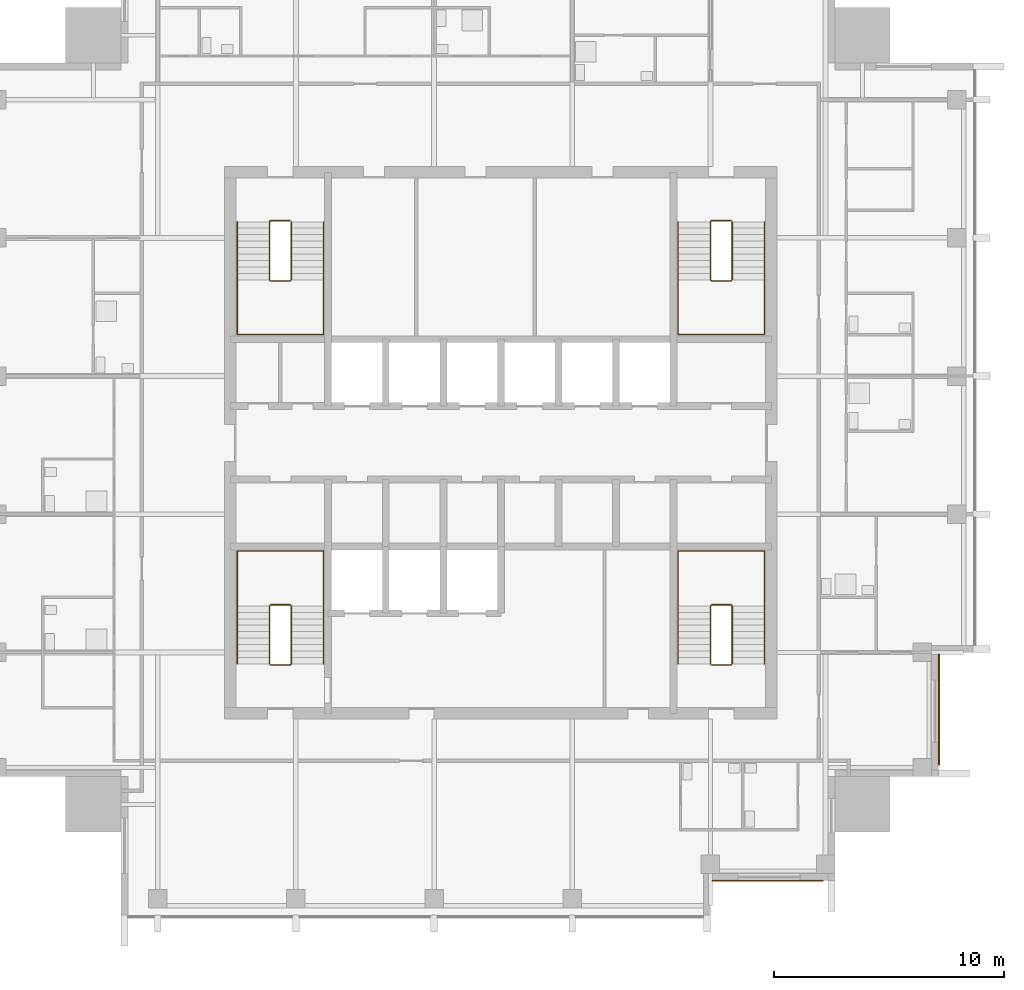
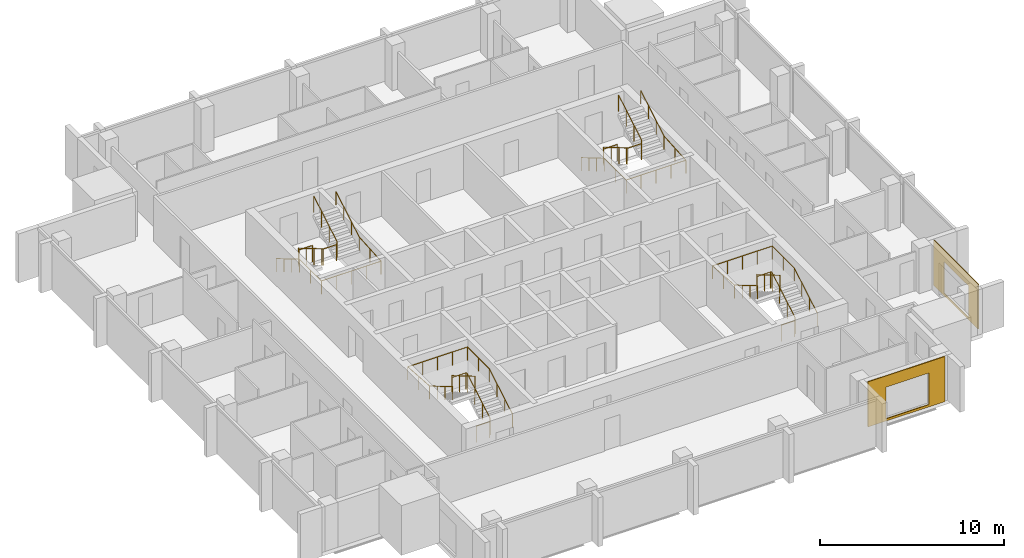
# One storey, part 8 of 9: 8 railings, 2 coverings.
"""IFC4 building model written with IfcOpenShell, lengths in metres."""

from ifc_helpers import new_model, si_unit, direction, frame, origin, origin_2d, place, context, subcontext, project, spatial, polyline, circle, outline, extrude, material, layer, layer_set, type_object, element, save


model = new_model("IFC4")

# Units and contexts
model_context = context("Model", 3, precision=1e-05, world=origin(), true_north=direction((0.0, 1.0)))
body_context = subcontext(model_context, "Body", "Model", "MODEL_VIEW")
ifc_project = project(units=[si_unit("LENGTHUNIT", "METRE"), si_unit("AREAUNIT", "SQUARE_METRE"), si_unit("VOLUMEUNIT", "CUBIC_METRE"), si_unit("PLANEANGLEUNIT", "RADIAN"), si_unit("MASSUNIT", "GRAM", prefix="KILO")], contexts=[model_context])

# Site, building, storey
site_placement = place(None, origin())
site = spatial("IfcSite", under=ifc_project, at=site_placement, CompositionType="ELEMENT")
building_placement = place(site_placement, origin())
building = spatial("IfcBuilding", under=site, at=building_placement, Name="Amberfall Residences", CompositionType="ELEMENT")
storey_placement = place(building_placement, frame((0.0, 0.0, 278.5)))
storey = spatial("IfcBuildingStorey", under=building, at=storey_placement, Name="L75", CompositionType="ELEMENT", Elevation=278.5)

# Coverings
ifc_material_1 = material(Name="Pale limestone cladding", Category="masonry")
ifc_layer = layer(ifc_material_1, 0.050048828125)
ifc_layer_set = layer_set([ifc_layer], Name="Limestone fascia 50")
covering_type = type_object("IfcCoveringType", Name="Limestone fascia 50", PredefinedType="CLADDING", material=ifc_layer_set)
covering_1_placement = place(storey_placement, frame((83.68994140625, 26.5, 3.0), z_axis=(0.0, 1.0, 0.0), x_axis=(1.0, 0.0, 0.0)))
element("IfcCovering", 1, at=covering_1_placement, inside=storey, type_object=covering_type, Name="Pale limestone cladding L75 S", PredefinedType="CLADDING", context=body_context, shape_type="SweptSolid", body=[
    extrude(outline(polyline([(0.0, 0.0), (4.820068359375, 0.0), (4.820068359375, 3.0), (0.0, 3.0), (0.0, 0.0)]), holes=[polyline([(1.110107421875, 0.75), (3.81005859375, 0.75), (3.81005859375, 2.85009765625), (1.110107421875, 2.85009765625), (1.110107421875, 0.75)])]), origin(), (0.0, 0.0, -1.0), 0.050048828125),
])
covering_2_placement = place(storey_placement, frame((93.5, 31.489990234375, 3.0), z_axis=(-1.0, 0.0, 0.0), x_axis=(0.0, 1.0, 0.0)))
element("IfcCovering", 2, at=covering_2_placement, inside=storey, type_object=covering_type, Name="Pale limestone cladding L75 E", PredefinedType="CLADDING", context=body_context, shape_type="SweptSolid", body=[
    extrude(outline(polyline([(0.0, 0.0), (4.820068359375, 0.0), (4.820068359375, 3.0), (0.0, 3.0), (0.0, 0.0)]), holes=[polyline([(1.010009765625, 0.75), (3.7099609375, 0.75), (3.7099609375, 2.85009765625), (1.010009765625, 2.85009765625), (1.010009765625, 0.75)])]), origin(), (0.0, 0.0, -1.0), 0.050048828125),
])

# Railings
ifc_material_2 = material(Name="Stainless steel 316", Category="steel")
railing_type_1 = type_object("IfcRailingType", Name="Stair guard 1100", PredefinedType="GUARDRAIL", material=ifc_material_2)
railing_1_placement = place(storey_placement, frame((64.5, 35.85009765625, 0.0)))
element("IfcRailing", 3, at=railing_1_placement, inside=storey, type_object=railing_type_1, Name="L75 stair 1 guard", PredefinedType="GUARDRAIL", context=body_context, shape_type="SweptSolid", body=[
    extrude(circle(Radius=0.02392578125, at=origin_2d()), frame((0.0, 0.0, 1.076171875), z_axis=(1.0, 0.0, 0.0), x_axis=(0.0, 1.0, 0.0)), (0.0, 0.0, 1.0), 0.85009765625),
    extrude(circle(Radius=0.02392578125, at=origin_2d()), frame((0.85009765625, 0.0, 1.076171875), z_axis=(0.27755538755, 0.27755538755, 0.919742362667), x_axis=(-0.707106781187, 0.707106781187, 0.0)), (0.0, 0.0, 1.0), 0.179443359375),
    extrude(circle(Radius=0.02392578125, at=origin_2d()), frame((0.89990234375, 0.0498046875, 1.2412109375), z_axis=(0.0, 0.861560626758, 0.507654692109), x_axis=(-1.0, 0.0, 0.0)), (0.0, 0.0, 1.0), 2.925048828125),
    extrude(circle(Radius=0.02392578125, at=origin_2d()), frame((0.89990234375, 2.56982421875, 2.72607421875), z_axis=(-0.705375805398, 0.708833529934, 0.0), x_axis=(-0.708833529934, -0.705375805398, 0.0)), (0.0, 0.0, 1.0), 0.070556640625),
    extrude(circle(Radius=0.02392578125, at=origin_2d()), frame((0.85009765625, 2.619873046875, 2.72607421875), z_axis=(-1.0, 0.0, 0.0), x_axis=(0.0, -1.0, 0.0)), (0.0, 0.0, 1.0), 0.85009765625),
    extrude(circle(Radius=0.02392578125, at=origin_2d()), frame((0.0, 2.619873046875, 2.72607421875), z_axis=(-0.278705021027, -0.278705021027, 0.919046801044), x_axis=(0.707106781187, -0.707106781187, 0.0)), (0.0, 0.0, 1.0), 0.1796875),
    extrude(circle(Radius=0.02392578125, at=origin_2d()), frame((-0.050048828125, 2.56982421875, 2.89111328125), z_axis=(0.0, -0.86152411907, 0.507716645641), x_axis=(1.0, 0.0, 0.0)), (0.0, 0.0, 1.0), 2.925048828125),
    extrude(circle(Radius=0.02099609375, at=origin_2d()), origin(), (0.0, 0.0, 1.0), 1.052001953125),
    extrude(circle(Radius=0.02099609375, at=origin_2d()), frame((0.85009765625, 0.0, 0.0)), (0.0, 0.0, 1.0), 1.052001953125),
    extrude(circle(Radius=0.02099609375, at=origin_2d()), frame((0.89990234375, 0.0498046875, 0.1650390625)), (0.0, 0.0, 1.0), 1.052001953125),
    extrude(circle(Radius=0.02099609375, at=origin_2d()), frame((0.89990234375, 0.889892578125, 0.659912109375)), (0.0, 0.0, 1.0), 1.052001953125),
    extrude(circle(Radius=0.02099609375, at=origin_2d()), frame((0.89990234375, 1.729736328125, 1.155029296875)), (0.0, 0.0, 1.0), 1.052001953125),
    extrude(circle(Radius=0.02099609375, at=origin_2d()), frame((0.89990234375, 2.56982421875, 1.64990234375)), (0.0, 0.0, 1.0), 1.052001953125),
    extrude(circle(Radius=0.02099609375, at=origin_2d()), frame((0.85009765625, 2.619873046875, 1.64990234375)), (0.0, 0.0, 1.0), 1.052001953125),
    extrude(circle(Radius=0.02099609375, at=origin_2d()), frame((0.0, 2.619873046875, 1.64990234375)), (0.0, 0.0, 1.0), 1.052001953125),
    extrude(circle(Radius=0.02099609375, at=origin_2d()), frame((-0.050048828125, 2.56982421875, 1.81494140625)), (0.0, 0.0, 1.0), 1.052001953125),
    extrude(circle(Radius=0.02099609375, at=origin_2d()), frame((-0.050048828125, 1.729736328125, 2.31005859375)), (0.0, 0.0, 1.0), 1.052001953125),
    extrude(circle(Radius=0.02099609375, at=origin_2d()), frame((-0.050048828125, 0.889892578125, 2.804931640625)), (0.0, 0.0, 1.0), 1.052001953125),
    extrude(circle(Radius=0.02099609375, at=origin_2d()), frame((-0.050048828125, 0.0498046875, 3.300048828125)), (0.0, 0.0, 1.0), 1.052001953125),
])
railing_2_placement = place(storey_placement, frame((83.64990234375, 35.85009765625, 0.0)))
element("IfcRailing", 4, at=railing_2_placement, inside=storey, type_object=railing_type_1, Name="L75 stair 2 guard", PredefinedType="GUARDRAIL", context=body_context, shape_type="SweptSolid", body=[
    extrude(circle(Radius=0.02392578125, at=origin_2d()), frame((0.0, 0.0, 1.076171875), z_axis=(1.0, 0.0, 0.0), x_axis=(0.0, 1.0, 0.0)), (0.0, 0.0, 1.0), 0.85009765625),
    extrude(circle(Radius=0.02392578125, at=origin_2d()), frame((0.85009765625, 0.0, 1.076171875), z_axis=(0.278810427259, 0.277450376394, 0.919394384522), x_axis=(-0.705375805398, 0.708833529934, 0.0)), (0.0, 0.0, 1.0), 0.179443359375),
    extrude(circle(Radius=0.02392578125, at=origin_2d()), frame((0.900146484375, 0.0498046875, 1.2412109375), z_axis=(0.0, 0.861560626758, 0.507654692109), x_axis=(-1.0, 0.0, 0.0)), (0.0, 0.0, 1.0), 2.925048828125),
    extrude(circle(Radius=0.02392578125, at=origin_2d()), frame((0.900146484375, 2.56982421875, 2.72607421875), z_axis=(-0.707106781187, 0.707106781187, 0.0), x_axis=(-0.707106781187, -0.707106781187, 0.0)), (0.0, 0.0, 1.0), 0.07080078125),
    extrude(circle(Radius=0.02392578125, at=origin_2d()), frame((0.85009765625, 2.619873046875, 2.72607421875), z_axis=(-1.0, 0.0, 0.0), x_axis=(0.0, -1.0, 0.0)), (0.0, 0.0, 1.0), 0.85009765625),
    extrude(circle(Radius=0.02392578125, at=origin_2d()), frame((0.0, 2.619873046875, 2.72607421875), z_axis=(-0.277450376394, -0.278810427259, 0.919394384522), x_axis=(0.708833529934, -0.705375805398, 0.0)), (0.0, 0.0, 1.0), 0.179443359375),
    extrude(circle(Radius=0.02392578125, at=origin_2d()), frame((-0.0498046875, 2.56982421875, 2.89111328125), z_axis=(0.0, -0.86152411907, 0.507716645641), x_axis=(1.0, 0.0, 0.0)), (0.0, 0.0, 1.0), 2.925048828125),
    extrude(circle(Radius=0.02099609375, at=origin_2d()), origin(), (0.0, 0.0, 1.0), 1.052001953125),
    extrude(circle(Radius=0.02099609375, at=origin_2d()), frame((0.85009765625, 0.0, 0.0)), (0.0, 0.0, 1.0), 1.052001953125),
    extrude(circle(Radius=0.02099609375, at=origin_2d()), frame((0.900146484375, 0.0498046875, 0.1650390625)), (0.0, 0.0, 1.0), 1.052001953125),
    extrude(circle(Radius=0.02099609375, at=origin_2d()), frame((0.900146484375, 0.889892578125, 0.659912109375)), (0.0, 0.0, 1.0), 1.052001953125),
    extrude(circle(Radius=0.02099609375, at=origin_2d()), frame((0.900146484375, 1.729736328125, 1.155029296875)), (0.0, 0.0, 1.0), 1.052001953125),
    extrude(circle(Radius=0.02099609375, at=origin_2d()), frame((0.900146484375, 2.56982421875, 1.64990234375)), (0.0, 0.0, 1.0), 1.052001953125),
    extrude(circle(Radius=0.02099609375, at=origin_2d()), frame((0.85009765625, 2.619873046875, 1.64990234375)), (0.0, 0.0, 1.0), 1.052001953125),
    extrude(circle(Radius=0.02099609375, at=origin_2d()), frame((0.0, 2.619873046875, 1.64990234375)), (0.0, 0.0, 1.0), 1.052001953125),
    extrude(circle(Radius=0.02099609375, at=origin_2d()), frame((-0.0498046875, 2.56982421875, 1.81494140625)), (0.0, 0.0, 1.0), 1.052001953125),
    extrude(circle(Radius=0.02099609375, at=origin_2d()), frame((-0.0498046875, 1.729736328125, 2.31005859375)), (0.0, 0.0, 1.0), 1.052001953125),
    extrude(circle(Radius=0.02099609375, at=origin_2d()), frame((-0.0498046875, 0.889892578125, 2.804931640625)), (0.0, 0.0, 1.0), 1.052001953125),
    extrude(circle(Radius=0.02099609375, at=origin_2d()), frame((-0.0498046875, 0.0498046875, 3.300048828125)), (0.0, 0.0, 1.0), 1.052001953125),
])
railing_3_placement = place(storey_placement, frame((84.5, 55.14990234375, 0.0)))
element("IfcRailing", 5, at=railing_3_placement, inside=storey, type_object=railing_type_1, Name="L75 stair 3 guard", PredefinedType="GUARDRAIL", context=body_context, shape_type="SweptSolid", body=[
    extrude(circle(Radius=0.02392578125, at=origin_2d()), frame((0.0, 0.0, 1.076171875), z_axis=(-1.0, 0.0, 0.0), x_axis=(0.0, -1.0, 0.0)), (0.0, 0.0, 1.0), 0.85009765625),
    extrude(circle(Radius=0.02392578125, at=origin_2d()), frame((-0.85009765625, 0.0, 1.076171875), z_axis=(-0.27755538755, -0.27755538755, 0.919742362667), x_axis=(0.707106781187, -0.707106781187, 0.0)), (0.0, 0.0, 1.0), 0.179443359375),
    extrude(circle(Radius=0.02392578125, at=origin_2d()), frame((-0.89990234375, -0.0498046875, 1.2412109375), z_axis=(0.0, -0.861560626758, 0.507654692109), x_axis=(1.0, 0.0, 0.0)), (0.0, 0.0, 1.0), 2.925048828125),
    extrude(circle(Radius=0.02392578125, at=origin_2d()), frame((-0.89990234375, -2.56982421875, 2.72607421875), z_axis=(0.705375805398, -0.708833529934, 0.0), x_axis=(0.708833529934, 0.705375805398, 0.0)), (0.0, 0.0, 1.0), 0.070556640625),
    extrude(circle(Radius=0.02392578125, at=origin_2d()), frame((-0.85009765625, -2.619873046875, 2.72607421875), z_axis=(1.0, 0.0, 0.0), x_axis=(0.0, 1.0, 0.0)), (0.0, 0.0, 1.0), 0.85009765625),
    extrude(circle(Radius=0.02392578125, at=origin_2d()), frame((0.0, -2.619873046875, 2.72607421875), z_axis=(0.278705021027, 0.278705021027, 0.919046801044), x_axis=(-0.707106781187, 0.707106781187, 0.0)), (0.0, 0.0, 1.0), 0.1796875),
    extrude(circle(Radius=0.02392578125, at=origin_2d()), frame((0.050048828125, -2.56982421875, 2.89111328125), z_axis=(0.0, 0.86152411907, 0.507716645641), x_axis=(-1.0, 0.0, 0.0)), (0.0, 0.0, 1.0), 2.925048828125),
    extrude(circle(Radius=0.02099609375, at=origin_2d()), origin(), (0.0, 0.0, 1.0), 1.052001953125),
    extrude(circle(Radius=0.02099609375, at=origin_2d()), frame((-0.85009765625, 0.0, 0.0)), (0.0, 0.0, 1.0), 1.052001953125),
    extrude(circle(Radius=0.02099609375, at=origin_2d()), frame((-0.89990234375, -0.0498046875, 0.1650390625)), (0.0, 0.0, 1.0), 1.052001953125),
    extrude(circle(Radius=0.02099609375, at=origin_2d()), frame((-0.89990234375, -0.889892578125, 0.659912109375)), (0.0, 0.0, 1.0), 1.052001953125),
    extrude(circle(Radius=0.02099609375, at=origin_2d()), frame((-0.89990234375, -1.729736328125, 1.155029296875)), (0.0, 0.0, 1.0), 1.052001953125),
    extrude(circle(Radius=0.02099609375, at=origin_2d()), frame((-0.89990234375, -2.56982421875, 1.64990234375)), (0.0, 0.0, 1.0), 1.052001953125),
    extrude(circle(Radius=0.02099609375, at=origin_2d()), frame((-0.85009765625, -2.619873046875, 1.64990234375)), (0.0, 0.0, 1.0), 1.052001953125),
    extrude(circle(Radius=0.02099609375, at=origin_2d()), frame((0.0, -2.619873046875, 1.64990234375)), (0.0, 0.0, 1.0), 1.052001953125),
    extrude(circle(Radius=0.02099609375, at=origin_2d()), frame((0.050048828125, -2.56982421875, 1.81494140625)), (0.0, 0.0, 1.0), 1.052001953125),
    extrude(circle(Radius=0.02099609375, at=origin_2d()), frame((0.050048828125, -1.729736328125, 2.31005859375)), (0.0, 0.0, 1.0), 1.052001953125),
    extrude(circle(Radius=0.02099609375, at=origin_2d()), frame((0.050048828125, -0.889892578125, 2.804931640625)), (0.0, 0.0, 1.0), 1.052001953125),
    extrude(circle(Radius=0.02099609375, at=origin_2d()), frame((0.050048828125, -0.0498046875, 3.300048828125)), (0.0, 0.0, 1.0), 1.052001953125),
])
railing_4_placement = place(storey_placement, frame((65.35009765625, 55.14990234375, 0.0)))
element("IfcRailing", 6, at=railing_4_placement, inside=storey, type_object=railing_type_1, Name="L75 stair 4 guard", PredefinedType="GUARDRAIL", context=body_context, shape_type="SweptSolid", body=[
    extrude(circle(Radius=0.02392578125, at=origin_2d()), frame((0.0, 0.0, 1.076171875), z_axis=(-1.0, 0.0, 0.0), x_axis=(0.0, -1.0, 0.0)), (0.0, 0.0, 1.0), 0.85009765625),
    extrude(circle(Radius=0.02392578125, at=origin_2d()), frame((-0.85009765625, 0.0, 1.076171875), z_axis=(-0.278810427259, -0.277450376394, 0.919394384522), x_axis=(0.705375805398, -0.708833529934, 0.0)), (0.0, 0.0, 1.0), 0.179443359375),
    extrude(circle(Radius=0.02392578125, at=origin_2d()), frame((-0.900146484375, -0.0498046875, 1.2412109375), z_axis=(0.0, -0.861560626758, 0.507654692109), x_axis=(1.0, 0.0, 0.0)), (0.0, 0.0, 1.0), 2.925048828125),
    extrude(circle(Radius=0.02392578125, at=origin_2d()), frame((-0.900146484375, -2.56982421875, 2.72607421875), z_axis=(0.707106781187, -0.707106781187, 0.0), x_axis=(0.707106781187, 0.707106781187, 0.0)), (0.0, 0.0, 1.0), 0.07080078125),
    extrude(circle(Radius=0.02392578125, at=origin_2d()), frame((-0.85009765625, -2.619873046875, 2.72607421875), z_axis=(1.0, 0.0, 0.0), x_axis=(0.0, 1.0, 0.0)), (0.0, 0.0, 1.0), 0.85009765625),
    extrude(circle(Radius=0.02392578125, at=origin_2d()), frame((0.0, -2.619873046875, 2.72607421875), z_axis=(0.277450376394, 0.278810427259, 0.919394384522), x_axis=(-0.708833529934, 0.705375805398, 0.0)), (0.0, 0.0, 1.0), 0.179443359375),
    extrude(circle(Radius=0.02392578125, at=origin_2d()), frame((0.0498046875, -2.56982421875, 2.89111328125), z_axis=(0.0, 0.86152411907, 0.507716645641), x_axis=(-1.0, 0.0, 0.0)), (0.0, 0.0, 1.0), 2.925048828125),
    extrude(circle(Radius=0.02099609375, at=origin_2d()), origin(), (0.0, 0.0, 1.0), 1.052001953125),
    extrude(circle(Radius=0.02099609375, at=origin_2d()), frame((-0.85009765625, 0.0, 0.0)), (0.0, 0.0, 1.0), 1.052001953125),
    extrude(circle(Radius=0.02099609375, at=origin_2d()), frame((-0.900146484375, -0.0498046875, 0.1650390625)), (0.0, 0.0, 1.0), 1.052001953125),
    extrude(circle(Radius=0.02099609375, at=origin_2d()), frame((-0.900146484375, -0.889892578125, 0.659912109375)), (0.0, 0.0, 1.0), 1.052001953125),
    extrude(circle(Radius=0.02099609375, at=origin_2d()), frame((-0.900146484375, -1.729736328125, 1.155029296875)), (0.0, 0.0, 1.0), 1.052001953125),
    extrude(circle(Radius=0.02099609375, at=origin_2d()), frame((-0.900146484375, -2.56982421875, 1.64990234375)), (0.0, 0.0, 1.0), 1.052001953125),
    extrude(circle(Radius=0.02099609375, at=origin_2d()), frame((-0.85009765625, -2.619873046875, 1.64990234375)), (0.0, 0.0, 1.0), 1.052001953125),
    extrude(circle(Radius=0.02099609375, at=origin_2d()), frame((0.0, -2.619873046875, 1.64990234375)), (0.0, 0.0, 1.0), 1.052001953125),
    extrude(circle(Radius=0.02099609375, at=origin_2d()), frame((0.0498046875, -2.56982421875, 1.81494140625)), (0.0, 0.0, 1.0), 1.052001953125),
    extrude(circle(Radius=0.02099609375, at=origin_2d()), frame((0.0498046875, -1.729736328125, 2.31005859375)), (0.0, 0.0, 1.0), 1.052001953125),
    extrude(circle(Radius=0.02099609375, at=origin_2d()), frame((0.0498046875, -0.889892578125, 2.804931640625)), (0.0, 0.0, 1.0), 1.052001953125),
    extrude(circle(Radius=0.02099609375, at=origin_2d()), frame((0.0498046875, -0.0498046875, 3.300048828125)), (0.0, 0.0, 1.0), 1.052001953125),
])
railing_type_2 = type_object("IfcRailingType", Name="Stair handrail 900", PredefinedType="HANDRAIL", material=ifc_material_2)
railing_5_placement = place(storey_placement, frame((66.800048828125, 35.89990234375, 0.1650390625)))
element("IfcRailing", 7, at=railing_5_placement, inside=storey, type_object=railing_type_2, Name="L75 stair 1 handrail", PredefinedType="HANDRAIL", context=body_context, shape_type="SweptSolid", body=[
    extrude(circle(Radius=0.02392578125, at=origin_2d()), frame((0.0, 0.0, 0.8759765625), z_axis=(0.0, 0.861560626758, 0.507654692109), x_axis=(-1.0, 0.0, 0.0)), (0.0, 0.0, 1.0), 2.925048828125),
    extrude(circle(Radius=0.02392578125, at=origin_2d()), frame((0.0, 2.52001953125, 2.36083984375), z_axis=(0.0, 1.0, 0.0), x_axis=(-1.0, 0.0, 0.0)), (0.0, 0.0, 1.0), 2.380126953125),
    extrude(circle(Radius=0.02392578125, at=origin_2d()), frame((0.0, 4.900146484375, 2.36083984375), z_axis=(-1.0, 0.0, 0.0), x_axis=(0.0, -1.0, 0.0)), (0.0, 0.0, 1.0), 3.75),
    extrude(circle(Radius=0.02392578125, at=origin_2d()), frame((-3.75, 4.900146484375, 2.36083984375), z_axis=(0.0, -0.997604585917, 0.069174346095), x_axis=(1.0, 0.0, 0.0)), (0.0, 0.0, 1.0), 2.3857421875),
    extrude(circle(Radius=0.02392578125, at=origin_2d()), frame((-3.75, 2.52001953125, 2.52587890625), z_axis=(0.0, -0.86152411907, 0.507716645641), x_axis=(1.0, 0.0, 0.0)), (0.0, 0.0, 1.0), 2.925048828125),
    extrude(circle(Radius=0.02099609375, at=origin_2d()), origin(), (0.0, 0.0, 1.0), 0.851806640625),
    extrude(circle(Radius=0.02099609375, at=origin_2d()), frame((0.0, 0.840087890625, 0.494873046875)), (0.0, 0.0, 1.0), 0.851806640625),
    extrude(circle(Radius=0.02099609375, at=origin_2d()), frame((0.0, 1.679931640625, 0.989990234375)), (0.0, 0.0, 1.0), 0.851806640625),
    extrude(circle(Radius=0.02099609375, at=origin_2d()), frame((0.0, 2.52001953125, 1.48486328125)), (0.0, 0.0, 1.0), 0.851806640625),
    extrude(circle(Radius=0.02099609375, at=origin_2d()), frame((0.0, 3.7099609375, 1.48486328125)), (0.0, 0.0, 1.0), 0.851806640625),
    extrude(circle(Radius=0.02099609375, at=origin_2d()), frame((0.0, 4.900146484375, 1.48486328125)), (0.0, 0.0, 1.0), 0.851806640625),
    extrude(circle(Radius=0.02099609375, at=origin_2d()), frame((-0.9375, 4.900146484375, 1.48486328125)), (0.0, 0.0, 1.0), 0.851806640625),
    extrude(circle(Radius=0.02099609375, at=origin_2d()), frame((-1.875, 4.900146484375, 1.48486328125)), (0.0, 0.0, 1.0), 0.851806640625),
    extrude(circle(Radius=0.02099609375, at=origin_2d()), frame((-2.8125, 4.900146484375, 1.48486328125)), (0.0, 0.0, 1.0), 0.851806640625),
    extrude(circle(Radius=0.02099609375, at=origin_2d()), frame((-3.75, 4.900146484375, 1.48486328125)), (0.0, 0.0, 1.0), 0.851806640625),
    extrude(circle(Radius=0.02099609375, at=origin_2d()), frame((-3.75, 3.7099609375, 1.5673828125)), (0.0, 0.0, 1.0), 0.851806640625),
    extrude(circle(Radius=0.02099609375, at=origin_2d()), frame((-3.75, 2.52001953125, 1.64990234375)), (0.0, 0.0, 1.0), 0.851806640625),
    extrude(circle(Radius=0.02099609375, at=origin_2d()), frame((-3.75, 1.679931640625, 2.14501953125)), (0.0, 0.0, 1.0), 0.851806640625),
    extrude(circle(Radius=0.02099609375, at=origin_2d()), frame((-3.75, 0.840087890625, 2.639892578125)), (0.0, 0.0, 1.0), 0.851806640625),
    extrude(circle(Radius=0.02099609375, at=origin_2d()), frame((-3.75, 0.0, 3.135009765625)), (0.0, 0.0, 1.0), 0.851806640625),
])
railing_6_placement = place(storey_placement, frame((85.949951171875, 35.89990234375, 0.1650390625)))
element("IfcRailing", 8, at=railing_6_placement, inside=storey, type_object=railing_type_2, Name="L75 stair 2 handrail", PredefinedType="HANDRAIL", context=body_context, shape_type="SweptSolid", body=[
    extrude(circle(Radius=0.02392578125, at=origin_2d()), frame((0.0, 0.0, 0.8759765625), z_axis=(0.0, 0.861560626758, 0.507654692109), x_axis=(-1.0, 0.0, 0.0)), (0.0, 0.0, 1.0), 2.925048828125),
    extrude(circle(Radius=0.02392578125, at=origin_2d()), frame((0.0, 2.52001953125, 2.36083984375), z_axis=(0.0, 1.0, 0.0), x_axis=(-1.0, 0.0, 0.0)), (0.0, 0.0, 1.0), 2.380126953125),
    extrude(circle(Radius=0.02392578125, at=origin_2d()), frame((0.0, 4.900146484375, 2.36083984375), z_axis=(-1.0, 0.0, 0.0), x_axis=(0.0, -1.0, 0.0)), (0.0, 0.0, 1.0), 3.75),
    extrude(circle(Radius=0.02392578125, at=origin_2d()), frame((-3.75, 4.900146484375, 2.36083984375), z_axis=(0.0, -0.997604585917, 0.069174346095), x_axis=(1.0, 0.0, 0.0)), (0.0, 0.0, 1.0), 2.3857421875),
    extrude(circle(Radius=0.02392578125, at=origin_2d()), frame((-3.75, 2.52001953125, 2.52587890625), z_axis=(0.0, -0.86152411907, 0.507716645641), x_axis=(1.0, 0.0, 0.0)), (0.0, 0.0, 1.0), 2.925048828125),
    extrude(circle(Radius=0.02099609375, at=origin_2d()), origin(), (0.0, 0.0, 1.0), 0.851806640625),
    extrude(circle(Radius=0.02099609375, at=origin_2d()), frame((0.0, 0.840087890625, 0.494873046875)), (0.0, 0.0, 1.0), 0.851806640625),
    extrude(circle(Radius=0.02099609375, at=origin_2d()), frame((0.0, 1.679931640625, 0.989990234375)), (0.0, 0.0, 1.0), 0.851806640625),
    extrude(circle(Radius=0.02099609375, at=origin_2d()), frame((0.0, 2.52001953125, 1.48486328125)), (0.0, 0.0, 1.0), 0.851806640625),
    extrude(circle(Radius=0.02099609375, at=origin_2d()), frame((0.0, 3.7099609375, 1.48486328125)), (0.0, 0.0, 1.0), 0.851806640625),
    extrude(circle(Radius=0.02099609375, at=origin_2d()), frame((0.0, 4.900146484375, 1.48486328125)), (0.0, 0.0, 1.0), 0.851806640625),
    extrude(circle(Radius=0.02099609375, at=origin_2d()), frame((-0.9375, 4.900146484375, 1.48486328125)), (0.0, 0.0, 1.0), 0.851806640625),
    extrude(circle(Radius=0.02099609375, at=origin_2d()), frame((-1.875, 4.900146484375, 1.48486328125)), (0.0, 0.0, 1.0), 0.851806640625),
    extrude(circle(Radius=0.02099609375, at=origin_2d()), frame((-2.8125, 4.900146484375, 1.48486328125)), (0.0, 0.0, 1.0), 0.851806640625),
    extrude(circle(Radius=0.02099609375, at=origin_2d()), frame((-3.75, 4.900146484375, 1.48486328125)), (0.0, 0.0, 1.0), 0.851806640625),
    extrude(circle(Radius=0.02099609375, at=origin_2d()), frame((-3.75, 3.7099609375, 1.5673828125)), (0.0, 0.0, 1.0), 0.851806640625),
    extrude(circle(Radius=0.02099609375, at=origin_2d()), frame((-3.75, 2.52001953125, 1.64990234375)), (0.0, 0.0, 1.0), 0.851806640625),
    extrude(circle(Radius=0.02099609375, at=origin_2d()), frame((-3.75, 1.679931640625, 2.14501953125)), (0.0, 0.0, 1.0), 0.851806640625),
    extrude(circle(Radius=0.02099609375, at=origin_2d()), frame((-3.75, 0.840087890625, 2.639892578125)), (0.0, 0.0, 1.0), 0.851806640625),
    extrude(circle(Radius=0.02099609375, at=origin_2d()), frame((-3.75, 0.0, 3.135009765625)), (0.0, 0.0, 1.0), 0.851806640625),
])
railing_7_placement = place(storey_placement, frame((82.199951171875, 55.10009765625, 0.1650390625)))
element("IfcRailing", 9, at=railing_7_placement, inside=storey, type_object=railing_type_2, Name="L75 stair 3 handrail", PredefinedType="HANDRAIL", context=body_context, shape_type="SweptSolid", body=[
    extrude(circle(Radius=0.02392578125, at=origin_2d()), frame((0.0, 0.0, 0.8759765625), z_axis=(0.0, -0.861560626758, 0.507654692109), x_axis=(1.0, 0.0, 0.0)), (0.0, 0.0, 1.0), 2.925048828125),
    extrude(circle(Radius=0.02392578125, at=origin_2d()), frame((0.0, -2.52001953125, 2.36083984375), z_axis=(0.0, -1.0, 0.0), x_axis=(1.0, 0.0, 0.0)), (0.0, 0.0, 1.0), 2.380126953125),
    extrude(circle(Radius=0.02392578125, at=origin_2d()), frame((0.0, -4.900146484375, 2.36083984375), z_axis=(1.0, 0.0, 0.0), x_axis=(0.0, 1.0, 0.0)), (0.0, 0.0, 1.0), 3.75),
    extrude(circle(Radius=0.02392578125, at=origin_2d()), frame((3.75, -4.900146484375, 2.36083984375), z_axis=(0.0, 0.997604585917, 0.069174346095), x_axis=(-1.0, 0.0, 0.0)), (0.0, 0.0, 1.0), 2.3857421875),
    extrude(circle(Radius=0.02392578125, at=origin_2d()), frame((3.75, -2.52001953125, 2.52587890625), z_axis=(0.0, 0.86152411907, 0.507716645641), x_axis=(-1.0, 0.0, 0.0)), (0.0, 0.0, 1.0), 2.925048828125),
    extrude(circle(Radius=0.02099609375, at=origin_2d()), origin(), (0.0, 0.0, 1.0), 0.851806640625),
    extrude(circle(Radius=0.02099609375, at=origin_2d()), frame((0.0, -0.840087890625, 0.494873046875)), (0.0, 0.0, 1.0), 0.851806640625),
    extrude(circle(Radius=0.02099609375, at=origin_2d()), frame((0.0, -1.679931640625, 0.989990234375)), (0.0, 0.0, 1.0), 0.851806640625),
    extrude(circle(Radius=0.02099609375, at=origin_2d()), frame((0.0, -2.52001953125, 1.48486328125)), (0.0, 0.0, 1.0), 0.851806640625),
    extrude(circle(Radius=0.02099609375, at=origin_2d()), frame((0.0, -3.7099609375, 1.48486328125)), (0.0, 0.0, 1.0), 0.851806640625),
    extrude(circle(Radius=0.02099609375, at=origin_2d()), frame((0.0, -4.900146484375, 1.48486328125)), (0.0, 0.0, 1.0), 0.851806640625),
    extrude(circle(Radius=0.02099609375, at=origin_2d()), frame((0.9375, -4.900146484375, 1.48486328125)), (0.0, 0.0, 1.0), 0.851806640625),
    extrude(circle(Radius=0.02099609375, at=origin_2d()), frame((1.875, -4.900146484375, 1.48486328125)), (0.0, 0.0, 1.0), 0.851806640625),
    extrude(circle(Radius=0.02099609375, at=origin_2d()), frame((2.8125, -4.900146484375, 1.48486328125)), (0.0, 0.0, 1.0), 0.851806640625),
    extrude(circle(Radius=0.02099609375, at=origin_2d()), frame((3.75, -4.900146484375, 1.48486328125)), (0.0, 0.0, 1.0), 0.851806640625),
    extrude(circle(Radius=0.02099609375, at=origin_2d()), frame((3.75, -3.7099609375, 1.5673828125)), (0.0, 0.0, 1.0), 0.851806640625),
    extrude(circle(Radius=0.02099609375, at=origin_2d()), frame((3.75, -2.52001953125, 1.64990234375)), (0.0, 0.0, 1.0), 0.851806640625),
    extrude(circle(Radius=0.02099609375, at=origin_2d()), frame((3.75, -1.679931640625, 2.14501953125)), (0.0, 0.0, 1.0), 0.851806640625),
    extrude(circle(Radius=0.02099609375, at=origin_2d()), frame((3.75, -0.840087890625, 2.639892578125)), (0.0, 0.0, 1.0), 0.851806640625),
    extrude(circle(Radius=0.02099609375, at=origin_2d()), frame((3.75, 0.0, 3.135009765625)), (0.0, 0.0, 1.0), 0.851806640625),
])
railing_8_placement = place(storey_placement, frame((63.050048828125, 55.10009765625, 0.1650390625)))
element("IfcRailing", 10, at=railing_8_placement, inside=storey, type_object=railing_type_2, Name="L75 stair 4 handrail", PredefinedType="HANDRAIL", context=body_context, shape_type="SweptSolid", body=[
    extrude(circle(Radius=0.02392578125, at=origin_2d()), frame((0.0, 0.0, 0.8759765625), z_axis=(0.0, -0.861560626758, 0.507654692109), x_axis=(1.0, 0.0, 0.0)), (0.0, 0.0, 1.0), 2.925048828125),
    extrude(circle(Radius=0.02392578125, at=origin_2d()), frame((0.0, -2.52001953125, 2.36083984375), z_axis=(0.0, -1.0, 0.0), x_axis=(1.0, 0.0, 0.0)), (0.0, 0.0, 1.0), 2.380126953125),
    extrude(circle(Radius=0.02392578125, at=origin_2d()), frame((0.0, -4.900146484375, 2.36083984375), z_axis=(1.0, 0.0, 0.0), x_axis=(0.0, 1.0, 0.0)), (0.0, 0.0, 1.0), 3.75),
    extrude(circle(Radius=0.02392578125, at=origin_2d()), frame((3.75, -4.900146484375, 2.36083984375), z_axis=(0.0, 0.997604585917, 0.069174346095), x_axis=(-1.0, 0.0, 0.0)), (0.0, 0.0, 1.0), 2.3857421875),
    extrude(circle(Radius=0.02392578125, at=origin_2d()), frame((3.75, -2.52001953125, 2.52587890625), z_axis=(0.0, 0.86152411907, 0.507716645641), x_axis=(-1.0, 0.0, 0.0)), (0.0, 0.0, 1.0), 2.925048828125),
    extrude(circle(Radius=0.02099609375, at=origin_2d()), origin(), (0.0, 0.0, 1.0), 0.851806640625),
    extrude(circle(Radius=0.02099609375, at=origin_2d()), frame((0.0, -0.840087890625, 0.494873046875)), (0.0, 0.0, 1.0), 0.851806640625),
    extrude(circle(Radius=0.02099609375, at=origin_2d()), frame((0.0, -1.679931640625, 0.989990234375)), (0.0, 0.0, 1.0), 0.851806640625),
    extrude(circle(Radius=0.02099609375, at=origin_2d()), frame((0.0, -2.52001953125, 1.48486328125)), (0.0, 0.0, 1.0), 0.851806640625),
    extrude(circle(Radius=0.02099609375, at=origin_2d()), frame((0.0, -3.7099609375, 1.48486328125)), (0.0, 0.0, 1.0), 0.851806640625),
    extrude(circle(Radius=0.02099609375, at=origin_2d()), frame((0.0, -4.900146484375, 1.48486328125)), (0.0, 0.0, 1.0), 0.851806640625),
    extrude(circle(Radius=0.02099609375, at=origin_2d()), frame((0.9375, -4.900146484375, 1.48486328125)), (0.0, 0.0, 1.0), 0.851806640625),
    extrude(circle(Radius=0.02099609375, at=origin_2d()), frame((1.875, -4.900146484375, 1.48486328125)), (0.0, 0.0, 1.0), 0.851806640625),
    extrude(circle(Radius=0.02099609375, at=origin_2d()), frame((2.8125, -4.900146484375, 1.48486328125)), (0.0, 0.0, 1.0), 0.851806640625),
    extrude(circle(Radius=0.02099609375, at=origin_2d()), frame((3.75, -4.900146484375, 1.48486328125)), (0.0, 0.0, 1.0), 0.851806640625),
    extrude(circle(Radius=0.02099609375, at=origin_2d()), frame((3.75, -3.7099609375, 1.5673828125)), (0.0, 0.0, 1.0), 0.851806640625),
    extrude(circle(Radius=0.02099609375, at=origin_2d()), frame((3.75, -2.52001953125, 1.64990234375)), (0.0, 0.0, 1.0), 0.851806640625),
    extrude(circle(Radius=0.02099609375, at=origin_2d()), frame((3.75, -1.679931640625, 2.14501953125)), (0.0, 0.0, 1.0), 0.851806640625),
    extrude(circle(Radius=0.02099609375, at=origin_2d()), frame((3.75, -0.840087890625, 2.639892578125)), (0.0, 0.0, 1.0), 0.851806640625),
    extrude(circle(Radius=0.02099609375, at=origin_2d()), frame((3.75, 0.0, 3.135009765625)), (0.0, 0.0, 1.0), 0.851806640625),
])

save(model, "model.ifc")
